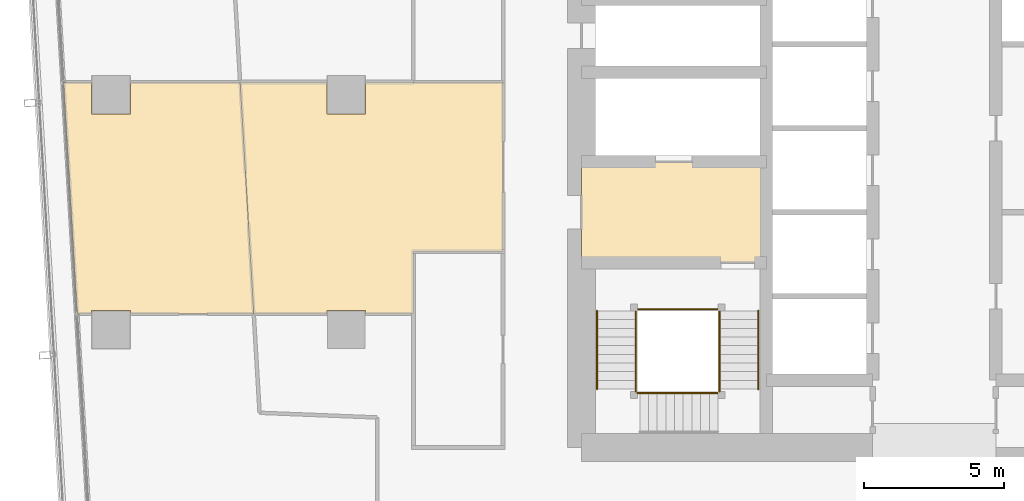
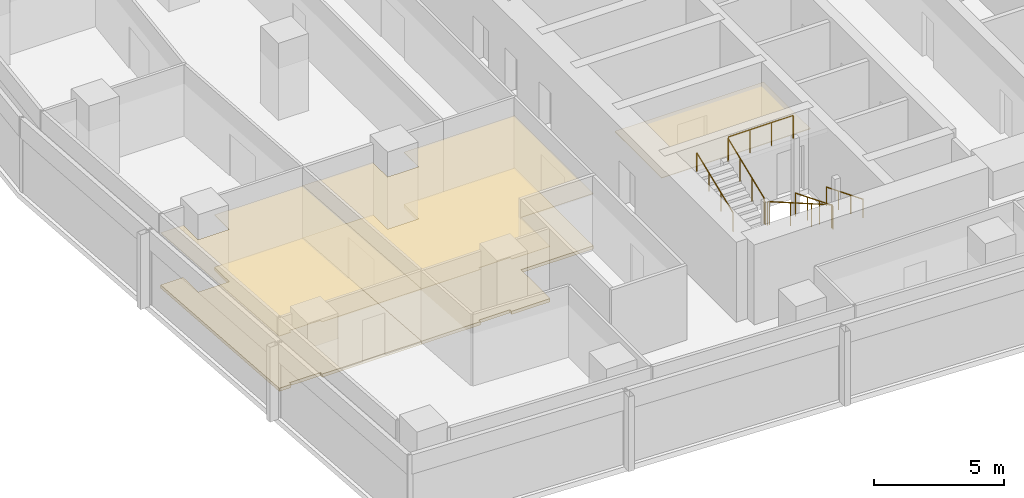
# One storey, part 32 of 39: 9 railings, 5 coverings.
"""IFC4 building model written with IfcOpenShell, lengths in metres."""

from ifc_helpers import new_model, si_unit, direction, frame, origin, origin_2d, place, context, subcontext, project, spatial, polyline, circle, outline, extrude, material, layer, layer_set, type_object, element, save


model = new_model("IFC4")

# Units and contexts
model_context = context("Model", 3, precision=1e-05, world=origin(), true_north=direction((0.0, 1.0)))
body_context = subcontext(model_context, "Body", "Model", "MODEL_VIEW")
ifc_project = project(units=[si_unit("LENGTHUNIT", "METRE"), si_unit("AREAUNIT", "SQUARE_METRE"), si_unit("VOLUMEUNIT", "CUBIC_METRE"), si_unit("PLANEANGLEUNIT", "RADIAN"), si_unit("MASSUNIT", "GRAM", prefix="KILO")], contexts=[model_context])

# Site, building, storey
site_placement = place(None, origin())
site = spatial("IfcSite", under=ifc_project, at=site_placement, CompositionType="ELEMENT")
building_placement = place(site_placement, origin())
building = spatial("IfcBuilding", under=site, at=building_placement, Name="Rekha Terrace Tower", CompositionType="ELEMENT")
storey_placement = place(building_placement, frame((0.0, 0.0, 225.199951171875)))
storey = spatial("IfcBuildingStorey", under=building, at=storey_placement, Name="L57", CompositionType="ELEMENT", Elevation=225.199951171875)

# Coverings
ifc_material_1 = material(Name="Mineral fibre tile in exposed grid", Category="finish")
ifc_layer_1 = layer(ifc_material_1, 0.02001953125)
ifc_layer_set_1 = layer_set([ifc_layer_1], Name="Mineral fibre tile in exposed grid")
covering_type_1 = type_object("IfcCoveringType", Name="CL1 600x1200 office grid ceiling", PredefinedType="CEILING", material=ifc_layer_set_1)
covering_1_placement = place(storey_placement, frame((0.0, 0.0, 2.580078125)))
element("IfcCovering", 1, at=covering_1_placement, inside=storey, type_object=covering_type_1, Name="Ceiling L57-15", PredefinedType="CEILING", context=body_context, shape_type="SweptSolid", body=[
    extrude(outline(polyline([(9.090087890625, 25.889892578125), (9.090087890625, 25.76611328125), (13.498046875, 25.76611328125), (13.010986328125, 34.0400390625), (9.090087890625, 34.0400390625), (9.090087890625, 32.909912109375), (7.7099609375, 32.909912109375), (7.7099609375, 34.0400390625), (6.699951171875, 34.0400390625), (7.18701171875, 25.76611328125), (7.7099609375, 25.76611328125), (7.7099609375, 25.889892578125), (9.090087890625, 25.889892578125)])), origin(), (0.0, 0.0, 1.0), 0.02001953125),
])
covering_2_placement = place(storey_placement, frame((0.0, 0.0, 2.580078125)))
element("IfcCovering", 2, at=covering_2_placement, inside=storey, type_object=covering_type_1, Name="Ceiling L57-16", PredefinedType="CEILING", context=body_context, shape_type="SweptSolid", body=[
    extrude(outline(polyline([(19.199951171875, 25.76611328125), (19.199951171875, 28.0), (22.39990234375, 28.0), (22.39990234375, 34.0400390625), (17.489990234375, 34.0400390625), (17.489990234375, 32.909912109375), (16.110107421875, 32.909912109375), (16.110107421875, 34.0400390625), (13.010986328125, 34.0400390625), (13.498046875, 25.76611328125), (16.110107421875, 25.76611328125), (16.110107421875, 25.889892578125), (17.489990234375, 25.889892578125), (17.489990234375, 25.76611328125), (19.199951171875, 25.76611328125)])), origin(), (0.0, 0.0, 1.0), 0.02001953125),
])
ifc_material_2 = material(Name="Powder-coated aluminium pan", Category="aluminium")
ifc_layer_2 = layer(ifc_material_2, 0.030029296875)
ifc_layer_set_2 = layer_set([ifc_layer_2], Name="Powder-coated aluminium pan")
covering_type_2 = type_object("IfcCoveringType", Name="CL3 300x1200 metal pan ceiling", PredefinedType="CEILING", material=ifc_layer_set_2)
covering_3_placement = place(storey_placement, frame((0.0, 0.0, 2.570068359375)))
element("IfcCovering", 3, at=covering_3_placement, inside=storey, type_object=covering_type_2, Name="Ceiling L57-FLB1", PredefinedType="CEILING", context=body_context, shape_type="SweptSolid", body=[
    extrude(outline(polyline([(31.800048828125, 31.199951171875), (25.199951171875, 31.199951171875), (25.199951171875, 27.60009765625), (31.800048828125, 27.60009765625), (31.800048828125, 31.199951171875)])), origin(), (0.0, 0.0, 1.0), 0.030029296875),
])

# Railings
ifc_material_3 = material(Name="Stainless steel balustrade", Category="steel")
railing_type_1 = type_object("IfcRailingType", Name="GR1 1100 stair guard", PredefinedType="GUARDRAIL", material=ifc_material_3)
railing_1_placement = place(storey_placement, frame((30.135009765625, 25.875, 0.125)))
element("IfcRailing", 4, at=railing_1_placement, inside=storey, type_object=railing_type_1, Name="Guard ST1 L57 flight 1", PredefinedType="GUARDRAIL", context=body_context, shape_type="SweptSolid", body=[
    extrude(circle(Radius=0.02392578125, at=origin_2d()), frame((0.0, 0.0, 1.076171875), z_axis=(0.0, -0.927443287984, 0.373963831907), x_axis=(1.0, 0.0, 0.0)), (0.0, 0.0, 1.0), 3.00830078125),
    extrude(circle(Radius=0.02099609375, at=origin_2d()), origin(), (0.0, 0.0, 1.0), 1.052001953125),
    extrude(circle(Radius=0.02099609375, at=origin_2d()), frame((0.0, -0.929931640625, 0.375)), (0.0, 0.0, 1.0), 1.052001953125),
    extrude(circle(Radius=0.02099609375, at=origin_2d()), frame((0.0, -1.860107421875, 0.75)), (0.0, 0.0, 1.0), 1.052001953125),
    extrude(circle(Radius=0.02099609375, at=origin_2d()), frame((0.0, -2.7900390625, 1.125)), (0.0, 0.0, 1.0), 1.052001953125),
])
railing_2_placement = place(storey_placement, frame((30.074951171875, 22.93994140625, 1.375)))
element("IfcRailing", 5, at=railing_2_placement, inside=storey, type_object=railing_type_1, Name="Guard ST1 L57 flight 2", PredefinedType="GUARDRAIL", context=body_context, shape_type="SweptSolid", body=[
    extrude(circle(Radius=0.02392578125, at=origin_2d()), frame((0.0, 0.0, 1.076171875), z_axis=(-0.927443287984, 0.0, 0.373963831907), x_axis=(0.0, -1.0, 0.0)), (0.0, 0.0, 1.0), 3.00830078125),
    extrude(circle(Radius=0.02099609375, at=origin_2d()), origin(), (0.0, 0.0, 1.0), 1.052001953125),
    extrude(circle(Radius=0.02099609375, at=origin_2d()), frame((-0.929931640625, 0.0, 0.375)), (0.0, 0.0, 1.0), 1.052001953125),
    extrude(circle(Radius=0.02099609375, at=origin_2d()), frame((-1.860107421875, 0.0, 0.75)), (0.0, 0.0, 1.0), 1.052001953125),
    extrude(circle(Radius=0.02099609375, at=origin_2d()), frame((-2.7900390625, 0.0, 1.125)), (0.0, 0.0, 1.0), 1.052001953125),
])
railing_3_placement = place(storey_placement, frame((27.139892578125, 23.0849609375, 2.625)))
element("IfcRailing", 6, at=railing_3_placement, inside=storey, type_object=railing_type_1, Name="Guard ST1 L57 flight 3", PredefinedType="GUARDRAIL", context=body_context, shape_type="SweptSolid", body=[
    extrude(circle(Radius=0.02392578125, at=origin_2d()), frame((0.0, 0.0, 1.076171875), z_axis=(0.0, 0.927443287984, 0.373963831907), x_axis=(-1.0, 0.0, 0.0)), (0.0, 0.0, 1.0), 3.00830078125),
    extrude(circle(Radius=0.02099609375, at=origin_2d()), origin(), (0.0, 0.0, 1.0), 1.052001953125),
    extrude(circle(Radius=0.02099609375, at=origin_2d()), frame((0.0, 0.929931640625, 0.375)), (0.0, 0.0, 1.0), 1.052001953125),
    extrude(circle(Radius=0.02099609375, at=origin_2d()), frame((0.0, 1.860107421875, 0.75)), (0.0, 0.0, 1.0), 1.052001953125),
    extrude(circle(Radius=0.02099609375, at=origin_2d()), frame((0.0, 2.7900390625, 1.125)), (0.0, 0.0, 1.0), 1.052001953125),
])
railing_4_placement = place(storey_placement, frame((30.135009765625, 23.0849609375, 1.25)))
element("IfcRailing", 7, at=railing_4_placement, inside=storey, type_object=railing_type_1, Name="Guard ST1 L57 landing 1", PredefinedType="GUARDRAIL", context=body_context, shape_type="SweptSolid", body=[
    extrude(circle(Radius=0.02392578125, at=origin_2d()), frame((0.0, 0.0, 1.076171875), z_axis=(0.0, -1.0, 0.0), x_axis=(1.0, 0.0, 0.0)), (0.0, 0.0, 1.0), 0.0849609375),
    extrude(circle(Radius=0.02099609375, at=origin_2d()), origin(), (0.0, 0.0, 1.0), 1.052001953125),
    extrude(circle(Radius=0.02099609375, at=origin_2d()), frame((0.0, -0.0849609375, 0.0)), (0.0, 0.0, 1.0), 1.052001953125),
])
railing_5_placement = place(storey_placement, frame((27.284912109375, 22.93994140625, 2.5)))
element("IfcRailing", 8, at=railing_5_placement, inside=storey, type_object=railing_type_1, Name="Guard ST1 L57 landing 2", PredefinedType="GUARDRAIL", context=body_context, shape_type="SweptSolid", body=[
    extrude(circle(Radius=0.02392578125, at=origin_2d()), frame((0.0, 0.0, 1.076171875), z_axis=(-1.0, 0.0, 0.0), x_axis=(0.0, -1.0, 0.0)), (0.0, 0.0, 1.0), 0.0849609375),
    extrude(circle(Radius=0.02099609375, at=origin_2d()), origin(), (0.0, 0.0, 1.0), 1.052001953125),
    extrude(circle(Radius=0.02099609375, at=origin_2d()), frame((-0.0849609375, 0.0, 0.0)), (0.0, 0.0, 1.0), 1.052001953125),
])
railing_6_placement = place(storey_placement, frame((27.139892578125, 23.0849609375, 2.5)))
element("IfcRailing", 9, at=railing_6_placement, inside=storey, type_object=railing_type_1, Name="Guard ST1 L57 landing 3", PredefinedType="GUARDRAIL", context=body_context, shape_type="SweptSolid", body=[
    extrude(circle(Radius=0.02392578125, at=origin_2d()), frame((0.0, 0.0, 1.076171875), z_axis=(0.0, -1.0, 0.0), x_axis=(1.0, 0.0, 0.0)), (0.0, 0.0, 1.0), 0.0849609375),
    extrude(circle(Radius=0.02099609375, at=origin_2d()), origin(), (0.0, 0.0, 1.0), 1.052001953125),
    extrude(circle(Radius=0.02099609375, at=origin_2d()), frame((0.0, -0.0849609375, 0.0)), (0.0, 0.0, 1.0), 1.052001953125),
])
railing_7_placement = place(storey_placement, frame((30.074951171875, 25.93505859375, 3.75)))
element("IfcRailing", 10, at=railing_7_placement, inside=storey, type_object=railing_type_1, Name="Guard ST1 L57 landing 4", PredefinedType="GUARDRAIL", context=body_context, shape_type="SweptSolid", body=[
    extrude(circle(Radius=0.02392578125, at=origin_2d()), frame((0.0, 0.0, 1.076171875), z_axis=(-1.0, 0.0, 0.0), x_axis=(0.0, -1.0, 0.0)), (0.0, 0.0, 1.0), 2.875),
    extrude(circle(Radius=0.02099609375, at=origin_2d()), origin(), (0.0, 0.0, 1.0), 1.052001953125),
    extrude(circle(Radius=0.02099609375, at=origin_2d()), frame((-0.958251953125, 0.0, 0.0)), (0.0, 0.0, 1.0), 1.052001953125),
    extrude(circle(Radius=0.02099609375, at=origin_2d()), frame((-1.916748046875, 0.0, 0.0)), (0.0, 0.0, 1.0), 1.052001953125),
    extrude(circle(Radius=0.02099609375, at=origin_2d()), frame((-2.875, 0.0, 0.0)), (0.0, 0.0, 1.0), 1.052001953125),
])
ifc_material_4 = material(Name="Stainless steel tube", Category="steel")
railing_type_2 = type_object("IfcRailingType", Name="HR1 900 stair handrail", PredefinedType="HANDRAIL", material=ifc_material_4)
railing_8_placement = place(storey_placement, frame((31.514892578125, 25.875, 0.125)))
element("IfcRailing", 11, at=railing_8_placement, inside=storey, type_object=railing_type_2, Name="Handrail ST1 L57 flight 1", PredefinedType="HANDRAIL", context=body_context, shape_type="SweptSolid", body=[
    extrude(circle(Radius=0.02392578125, at=origin_2d()), frame((0.0, 0.0, 0.8759765625), z_axis=(0.0, -0.927443287984, 0.373963831907), x_axis=(1.0, 0.0, 0.0)), (0.0, 0.0, 1.0), 3.00830078125),
    extrude(circle(Radius=0.02099609375, at=origin_2d()), origin(), (0.0, 0.0, 1.0), 0.851806640625),
    extrude(circle(Radius=0.02099609375, at=origin_2d()), frame((0.0, -0.929931640625, 0.375)), (0.0, 0.0, 1.0), 0.851806640625),
    extrude(circle(Radius=0.02099609375, at=origin_2d()), frame((0.0, -1.860107421875, 0.75)), (0.0, 0.0, 1.0), 0.851806640625),
    extrude(circle(Radius=0.02099609375, at=origin_2d()), frame((0.0, -2.7900390625, 1.125)), (0.0, 0.0, 1.0), 0.851806640625),
])
railing_9_placement = place(storey_placement, frame((25.760009765625, 23.0849609375, 2.625)))
element("IfcRailing", 12, at=railing_9_placement, inside=storey, type_object=railing_type_2, Name="Handrail ST1 L57 flight 3", PredefinedType="HANDRAIL", context=body_context, shape_type="SweptSolid", body=[
    extrude(circle(Radius=0.02392578125, at=origin_2d()), frame((0.0, 0.0, 0.8759765625), z_axis=(0.0, 0.927443287984, 0.373963831907), x_axis=(-1.0, 0.0, 0.0)), (0.0, 0.0, 1.0), 3.00830078125),
    extrude(circle(Radius=0.02099609375, at=origin_2d()), origin(), (0.0, 0.0, 1.0), 0.851806640625),
    extrude(circle(Radius=0.02099609375, at=origin_2d()), frame((0.0, 0.929931640625, 0.375)), (0.0, 0.0, 1.0), 0.851806640625),
    extrude(circle(Radius=0.02099609375, at=origin_2d()), frame((0.0, 1.860107421875, 0.75)), (0.0, 0.0, 1.0), 0.851806640625),
    extrude(circle(Radius=0.02099609375, at=origin_2d()), frame((0.0, 2.7900390625, 1.125)), (0.0, 0.0, 1.0), 0.851806640625),
])

# Coverings
ifc_material_5 = material(Name="Calcium sulphate panels on steel pedestals", Category="steel")
ifc_layer_3 = layer(ifc_material_5, 0.14990234375)
ifc_layer_set_3 = layer_set([ifc_layer_3], Name="Calcium sulphate panels on steel pedestals")
covering_type_3 = type_object("IfcCoveringType", Name="RF1 150 raised access floor", PredefinedType="FLOORING", material=ifc_layer_set_3)
covering_4_placement = place(storey_placement, origin())
element("IfcCovering", 13, at=covering_4_placement, inside=storey, type_object=covering_type_3, Name="Raised floor L57-15", PredefinedType="FLOORING", context=body_context, shape_type="SweptSolid", body=[
    extrude(outline(polyline([(9.090087890625, 25.889892578125), (9.090087890625, 25.76611328125), (13.498046875, 25.76611328125), (13.010986328125, 34.0400390625), (9.090087890625, 34.0400390625), (9.090087890625, 32.909912109375), (7.7099609375, 32.909912109375), (7.7099609375, 34.0400390625), (6.699951171875, 34.0400390625), (7.18701171875, 25.76611328125), (7.7099609375, 25.76611328125), (7.7099609375, 25.889892578125), (9.090087890625, 25.889892578125)])), origin(), (0.0, 0.0, 1.0), 0.150146484375),
])
covering_5_placement = place(storey_placement, origin())
element("IfcCovering", 14, at=covering_5_placement, inside=storey, type_object=covering_type_3, Name="Raised floor L57-16", PredefinedType="FLOORING", context=body_context, shape_type="SweptSolid", body=[
    extrude(outline(polyline([(19.199951171875, 25.76611328125), (19.199951171875, 28.0), (22.39990234375, 28.0), (22.39990234375, 34.0400390625), (17.489990234375, 34.0400390625), (17.489990234375, 32.909912109375), (16.110107421875, 32.909912109375), (16.110107421875, 34.0400390625), (13.010986328125, 34.0400390625), (13.498046875, 25.76611328125), (16.110107421875, 25.76611328125), (16.110107421875, 25.889892578125), (17.489990234375, 25.889892578125), (17.489990234375, 25.76611328125), (19.199951171875, 25.76611328125)])), origin(), (0.0, 0.0, 1.0), 0.150146484375),
])

save(model, "model.ifc")
